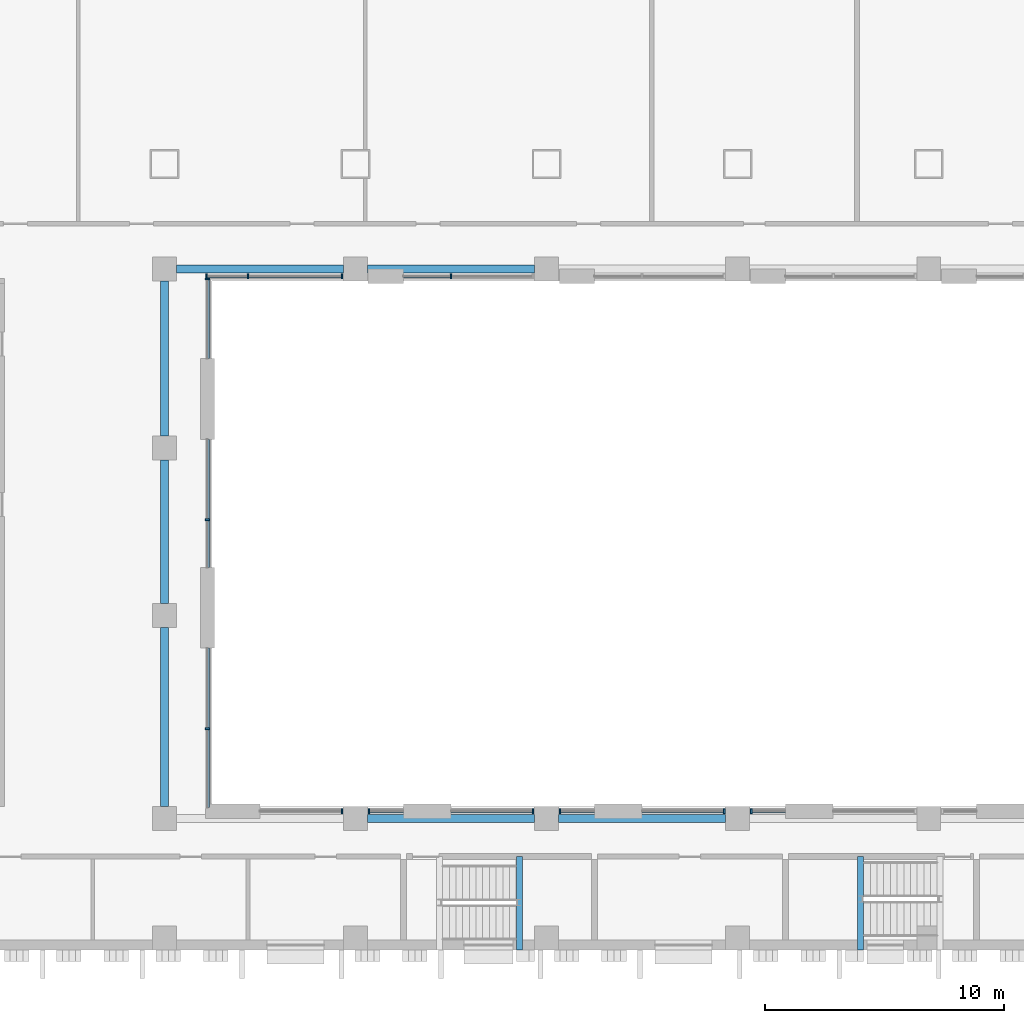
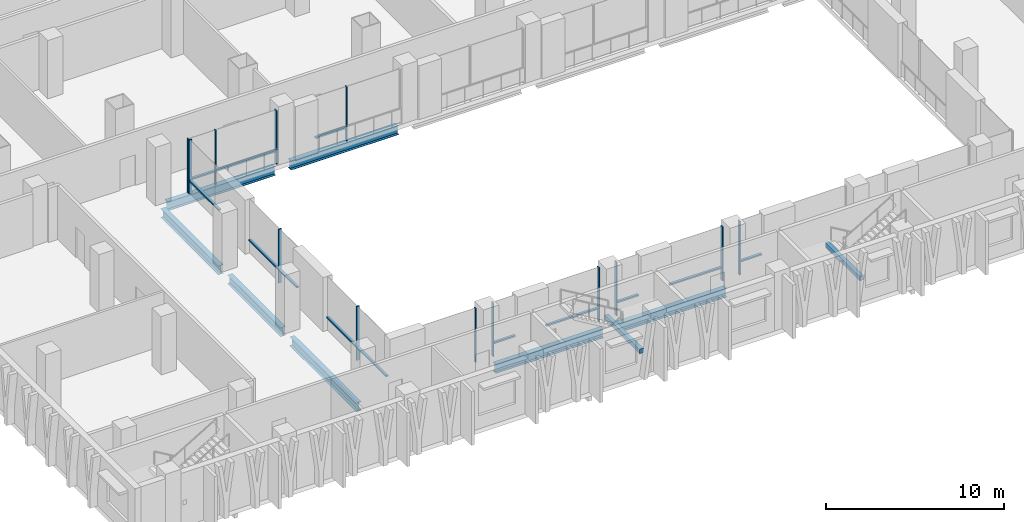
# One storey, part 2 of 25: 26 members, 9 beams, 11 elements without a shape of their own.
"""IFC4 building model written with IfcOpenShell, lengths in metres."""

from ifc_helpers import new_model, si_unit, direction, frame, origin, origin_2d, place, context, subcontext, project, spatial, rectangle, i_section, extrude, material, material_profile, profile_set, type_object, element, aggregate, save


model = new_model("IFC4")

# Units and contexts
model_context = context("Model", 3, precision=1e-05, world=origin(), true_north=direction((0.0, 1.0)))
body_context = subcontext(model_context, "Body", "Model", "MODEL_VIEW")
ifc_project = project(units=[si_unit("LENGTHUNIT", "METRE"), si_unit("AREAUNIT", "SQUARE_METRE"), si_unit("VOLUMEUNIT", "CUBIC_METRE"), si_unit("PLANEANGLEUNIT", "RADIAN"), si_unit("MASSUNIT", "GRAM", prefix="KILO")], contexts=[model_context])

# Site, building, storey
site_placement = place(None, origin())
site = spatial("IfcSite", under=ifc_project, at=site_placement, CompositionType="ELEMENT")
building_placement = place(site_placement, origin())
building = spatial("IfcBuilding", under=site, at=building_placement, Name="Vidyagriha Tower", CompositionType="ELEMENT")
storey_placement = place(building_placement, frame((0.0, 0.0, 14.0)))
storey = spatial("IfcBuildingStorey", under=building, at=storey_placement, Name="L03", CompositionType="ELEMENT", Elevation=14.0)

# Beams
ifc_material_1 = material(Name="Steel ASTM A992 Grade 50", Category="steel")
ifc_material_profile_1 = material_profile(ifc_material_1, i_section(OverallWidth=0.32373046875, OverallDepth=0.612060546875, WebThickness=0.0126953125, FlangeThickness=0.01904296875, at=origin_2d()), Name="W24X104")
ifc_profile_set_1 = profile_set([ifc_material_profile_1], Name="Steel ASTM A992 Grade 50")
beam_type_1 = type_object("IfcBeamType", Name="Atrium edge beam W24X104", PredefinedType="BEAM", material=ifc_profile_set_1)
for number, where, z_axis, x_axis, name in (
    (1, (-13.5, -44.5, -0.60595703125), (1.0, 0.0, 0.0), (0.0, 1.0, 0.0), "st-beam-L03-AT02"),
    (2, (-5.5, -44.5, -0.60595703125), (1.0, 0.0, 0.0), (0.0, 1.0, 0.0), "st-beam-L03-AT03"),
    (3, (-21.5, -21.5, -0.60595703125), (1.0, 0.0, 0.0), (0.0, 1.0, 0.0), "st-beam-L03-AT07"),
    (4, (-13.5, -21.5, -0.60595703125), (1.0, 0.0, 0.0), (0.0, 1.0, 0.0), "st-beam-L03-AT08"),
):
    element("IfcBeam", number, at=place(storey_placement, frame(where, z_axis=z_axis, x_axis=x_axis)), inside=storey, type_object=beam_type_1, Name=name, PredefinedType="BEAM", context=body_context, shape_type="SweptSolid", body=[
        extrude(i_section(OverallWidth=0.32373046875, OverallDepth=0.612060546875, WebThickness=0.0126953125, FlangeThickness=0.01904296875, at=origin_2d()), origin(), (0.0, 0.0, 1.0), 7.0),
    ])
beam_1_placement = place(storey_placement, frame((-22.0, -44.0, -0.60595703125), z_axis=(0.0, 1.0, 0.0), x_axis=(-1.0, 0.0, 0.0)))
element("IfcBeam", 5, at=beam_1_placement, inside=storey, type_object=beam_type_1, Name="st-beam-L03-AT13", PredefinedType="BEAM", context=body_context, shape_type="SweptSolid", body=[
    extrude(i_section(OverallWidth=0.32373046875, OverallDepth=0.612060546875, WebThickness=0.0126953125, FlangeThickness=0.01904296875, at=origin_2d()), origin(), (0.0, 0.0, 1.0), 7.5),
])
beam_2_placement = place(storey_placement, frame((-22.0, -35.5, -0.60595703125), z_axis=(0.0, 1.0, 0.0), x_axis=(-1.0, 0.0, 0.0)))
element("IfcBeam", 6, at=beam_2_placement, inside=storey, type_object=beam_type_1, Name="st-beam-L03-AT14", PredefinedType="BEAM", context=body_context, shape_type="SweptSolid", body=[
    extrude(i_section(OverallWidth=0.32373046875, OverallDepth=0.612060546875, WebThickness=0.0126953125, FlangeThickness=0.01904296875, at=origin_2d()), origin(), (0.0, 0.0, 1.0), 6.0),
])
beam_3_placement = place(storey_placement, frame((-22.0, -28.5, -0.60595703125), z_axis=(0.0, 1.0, 0.0), x_axis=(-1.0, 0.0, 0.0)))
element("IfcBeam", 7, at=beam_3_placement, inside=storey, type_object=beam_type_1, Name="st-beam-L03-AT15", PredefinedType="BEAM", context=body_context, shape_type="SweptSolid", body=[
    extrude(i_section(OverallWidth=0.32373046875, OverallDepth=0.612060546875, WebThickness=0.0126953125, FlangeThickness=0.01904296875, at=origin_2d()), origin(), (0.0, 0.0, 1.0), 6.5),
])

# Curtain wall, member
ifc_material_2 = material(Name="Aluminium and glass curtain wall", Category="aluminium")
curtain_wall_type = type_object("IfcCurtainWallType", Name="Atrium screen curtain wall", PredefinedType="USERDEFINED", material=ifc_material_2)
curtain_wall_1_placement = place(storey_placement, origin())
curtain_wall_1 = element("IfcCurtainWall", 8, at=curtain_wall_1_placement, inside=storey, type_object=curtain_wall_type, Name="CW6 atrium screen", ObjectType="UNITISED", PredefinedType="USERDEFINED")
ifc_material_3 = material(Name="Aluminium black anodised", Category="aluminium")
ifc_material_profile_2 = material_profile(ifc_material_3, rectangle(XDim=0.199951171875, YDim=0.070068359375, at=origin_2d()), Name="Mullion 70x200 black aluminium")
ifc_profile_set_2 = profile_set([ifc_material_profile_2], Name="Aluminium black anodised")
member_type_1 = type_object("IfcMemberType", Name="Mullion 70x200 black aluminium", PredefinedType="MULLION", material=ifc_profile_set_2)
member_1_placement = place(storey_placement, frame((2.56494140625, -44.199951171875, 0.0), z_axis=(0.0, 0.0, 1.0), x_axis=(0.0, -1.0, 0.0)))
member_1 = element("IfcMember", 9, at=member_1_placement, type_object=member_type_1, Name="CW6 mullion 2", PredefinedType="MULLION", context=body_context, shape_type="SweptSolid", body=[
    extrude(rectangle(XDim=0.199951171875, YDim=0.070068359375, at=origin_2d()), origin(), (0.0, 0.0, 1.0), 3.699951171875),
])

curtain_wall_2_placement = place(storey_placement, origin())
curtain_wall_2 = element("IfcCurtainWall", 10, at=curtain_wall_2_placement, inside=storey, type_object=curtain_wall_type, Name="CW6 atrium screen", ObjectType="UNITISED", PredefinedType="USERDEFINED")
member_2_placement = place(storey_placement, frame((1.43505859375, -44.199951171875, 0.0), z_axis=(0.0, 0.0, 1.0), x_axis=(0.0, -1.0, 0.0)))
member_2 = element("IfcMember", 11, at=member_2_placement, type_object=member_type_1, Name="CW6 mullion 1", PredefinedType="MULLION", context=body_context, shape_type="SweptSolid", body=[
    extrude(rectangle(XDim=0.199951171875, YDim=0.070068359375, at=origin_2d()), origin(), (0.0, 0.0, 1.0), 3.699951171875),
])

curtain_wall_3_placement = place(storey_placement, origin())
curtain_wall_3 = element("IfcCurtainWall", 12, at=curtain_wall_3_placement, inside=storey, type_object=curtain_wall_type, Name="CW6 atrium screen", ObjectType="UNITISED", PredefinedType="USERDEFINED")
member_3_placement = place(storey_placement, frame((-5.43505859375, -44.199951171875, 0.0), z_axis=(0.0, 0.0, 1.0), x_axis=(0.0, -1.0, 0.0)))
member_3 = element("IfcMember", 13, at=member_3_placement, type_object=member_type_1, Name="CW6 mullion 2", PredefinedType="MULLION", context=body_context, shape_type="SweptSolid", body=[
    extrude(rectangle(XDim=0.199951171875, YDim=0.070068359375, at=origin_2d()), origin(), (0.0, 0.0, 1.0), 3.699951171875),
])

curtain_wall_4_placement = place(storey_placement, origin())
curtain_wall_4 = element("IfcCurtainWall", 14, at=curtain_wall_4_placement, inside=storey, type_object=curtain_wall_type, Name="CW6 atrium screen", ObjectType="UNITISED", PredefinedType="USERDEFINED")
member_4_placement = place(storey_placement, frame((-6.56494140625, -44.199951171875, 0.0), z_axis=(0.0, 0.0, 1.0), x_axis=(0.0, -1.0, 0.0)))
member_4 = element("IfcMember", 15, at=member_4_placement, type_object=member_type_1, Name="CW6 mullion 1", PredefinedType="MULLION", context=body_context, shape_type="SweptSolid", body=[
    extrude(rectangle(XDim=0.199951171875, YDim=0.070068359375, at=origin_2d()), origin(), (0.0, 0.0, 1.0), 3.699951171875),
])

curtain_wall_5_placement = place(storey_placement, origin())
curtain_wall_5 = element("IfcCurtainWall", 16, at=curtain_wall_5_placement, inside=storey, type_object=curtain_wall_type, Name="CW6 atrium screen", ObjectType="UNITISED", PredefinedType="USERDEFINED")
member_5_placement = place(storey_placement, frame((-13.43505859375, -44.199951171875, 0.0), z_axis=(0.0, 0.0, 1.0), x_axis=(0.0, -1.0, 0.0)))
member_5 = element("IfcMember", 17, at=member_5_placement, type_object=member_type_1, Name="CW6 mullion 2", PredefinedType="MULLION", context=body_context, shape_type="SweptSolid", body=[
    extrude(rectangle(XDim=0.199951171875, YDim=0.070068359375, at=origin_2d()), origin(), (0.0, 0.0, 1.0), 3.699951171875),
])

curtain_wall_6_placement = place(storey_placement, origin())
curtain_wall_6 = element("IfcCurtainWall", 18, at=curtain_wall_6_placement, inside=storey, type_object=curtain_wall_type, Name="CW6 atrium screen", ObjectType="UNITISED", PredefinedType="USERDEFINED")
member_6_placement = place(storey_placement, frame((-14.56494140625, -44.199951171875, 0.0), z_axis=(0.0, 0.0, 1.0), x_axis=(0.0, -1.0, 0.0)))
member_6 = element("IfcMember", 19, at=member_6_placement, type_object=member_type_1, Name="CW6 mullion 1", PredefinedType="MULLION", context=body_context, shape_type="SweptSolid", body=[
    extrude(rectangle(XDim=0.199951171875, YDim=0.070068359375, at=origin_2d()), origin(), (0.0, 0.0, 1.0), 3.699951171875),
])
aggregate(curtain_wall_6, [member_6])

curtain_wall_7_placement = place(storey_placement, origin())
curtain_wall_7 = element("IfcCurtainWall", 20, at=curtain_wall_7_placement, inside=storey, type_object=curtain_wall_type, Name="CW6 atrium screen", ObjectType="UNITISED", PredefinedType="USERDEFINED")
member_7_placement = place(storey_placement, frame((-20.199951171875, -40.74658203125, 0.0), z_axis=(0.0, 0.0, 1.0), x_axis=(-1.0, 0.0, 0.0)))
member_7 = element("IfcMember", 21, at=member_7_placement, type_object=member_type_1, Name="CW6 mullion 2", PredefinedType="MULLION", context=body_context, shape_type="SweptSolid", body=[
    extrude(rectangle(XDim=0.199951171875, YDim=0.070068359375, at=origin_2d()), origin(), (0.0, 0.0, 1.0), 3.699951171875),
])

curtain_wall_8_placement = place(storey_placement, origin())
curtain_wall_8 = element("IfcCurtainWall", 22, at=curtain_wall_8_placement, inside=storey, type_object=curtain_wall_type, Name="CW6 atrium screen", ObjectType="UNITISED", PredefinedType="USERDEFINED")
member_8_placement = place(storey_placement, frame((-20.199951171875, -32.0, 0.0), z_axis=(0.0, 0.0, 1.0), x_axis=(-1.0, 0.0, 0.0)))
member_8 = element("IfcMember", 23, at=member_8_placement, type_object=member_type_1, Name="CW6 mullion 2", PredefinedType="MULLION", context=body_context, shape_type="SweptSolid", body=[
    extrude(rectangle(XDim=0.199951171875, YDim=0.070068359375, at=origin_2d()), origin(), (0.0, 0.0, 1.0), 3.699951171875),
])

curtain_wall_9_placement = place(storey_placement, origin())
curtain_wall_9 = element("IfcCurtainWall", 24, at=curtain_wall_9_placement, inside=storey, type_object=curtain_wall_type, Name="CW6 atrium screen", ObjectType="UNITISED", PredefinedType="USERDEFINED")
member_9_placement = place(storey_placement, frame((-20.199951171875, -21.9150390625, 0.0), z_axis=(0.0, 0.0, 1.0), x_axis=(-1.0, 0.0, 0.0)))
member_9 = element("IfcMember", 25, at=member_9_placement, type_object=member_type_1, Name="CW6 mullion 2", PredefinedType="MULLION", context=body_context, shape_type="SweptSolid", body=[
    extrude(rectangle(XDim=0.199951171875, YDim=0.070068359375, at=origin_2d()), origin(), (0.0, 0.0, 1.0), 3.699951171875),
])

# Curtain wall, members
curtain_wall_10_placement = place(storey_placement, origin())
curtain_wall_10 = element("IfcCurtainWall", 26, at=curtain_wall_10_placement, inside=storey, type_object=curtain_wall_type, Name="CW6 atrium screen", ObjectType="UNITISED", PredefinedType="USERDEFINED")
member_10_placement = place(storey_placement, frame((-20.2451171875, -21.800048828125, 0.0), z_axis=(0.0, 0.0, 1.0), x_axis=(0.0, 1.0, 0.0)))
member_10 = element("IfcMember", 27, at=member_10_placement, type_object=member_type_1, Name="CW6 mullion 1", PredefinedType="MULLION", context=body_context, shape_type="SweptSolid", body=[
    extrude(rectangle(XDim=0.199951171875, YDim=0.070068359375, at=origin_2d()), origin(), (0.0, 0.0, 1.0), 3.699951171875),
])
member_11_placement = place(storey_placement, frame((-18.5, -21.800048828125, 0.0), z_axis=(0.0, 0.0, 1.0), x_axis=(0.0, 1.0, 0.0)))
member_11 = element("IfcMember", 28, at=member_11_placement, type_object=member_type_1, Name="CW6 mullion 2", PredefinedType="MULLION", context=body_context, shape_type="SweptSolid", body=[
    extrude(rectangle(XDim=0.199951171875, YDim=0.070068359375, at=origin_2d()), origin(), (0.0, 0.0, 1.0), 3.699951171875),
])
member_12_placement = place(storey_placement, frame((-14.56494140625, -21.800048828125, 0.0), z_axis=(0.0, 0.0, 1.0), x_axis=(0.0, 1.0, 0.0)))
member_12 = element("IfcMember", 29, at=member_12_placement, type_object=member_type_1, Name="CW6 mullion 3", PredefinedType="MULLION", context=body_context, shape_type="SweptSolid", body=[
    extrude(rectangle(XDim=0.199951171875, YDim=0.070068359375, at=origin_2d()), origin(), (0.0, 0.0, 1.0), 3.699951171875),
])

# Curtain wall, member
curtain_wall_11_placement = place(storey_placement, origin())
curtain_wall_11 = element("IfcCurtainWall", 30, at=curtain_wall_11_placement, inside=storey, type_object=curtain_wall_type, Name="CW6 atrium screen", ObjectType="UNITISED", PredefinedType="USERDEFINED")
member_13_placement = place(storey_placement, frame((-10.0, -21.800048828125, 0.0), z_axis=(0.0, 0.0, 1.0), x_axis=(0.0, 1.0, 0.0)))
member_13 = element("IfcMember", 31, at=member_13_placement, type_object=member_type_1, Name="CW6 mullion 2", PredefinedType="MULLION", context=body_context, shape_type="SweptSolid", body=[
    extrude(rectangle(XDim=0.199951171875, YDim=0.070068359375, at=origin_2d()), origin(), (0.0, 0.0, 1.0), 3.699951171875),
])

# Beams
ifc_material_4 = material(Name="Concrete C40/50", Category="concrete")
ifc_material_profile_3 = material_profile(ifc_material_4, rectangle(XDim=0.25, YDim=0.300048828125, at=origin_2d()), Name="Stair landing bearing beam 250x300")
ifc_profile_set_3 = profile_set([ifc_material_profile_3], Name="Concrete C40/50")
beam_type_2 = type_object("IfcBeamType", Name="Stair landing bearing beam 250x300", PredefinedType="BEAM", material=ifc_profile_set_3)
for number, where, z_axis, x_axis, name in (
    (32, (-7.139892578125, -50.0, 1.64990234375), (0.0, 1.0, 0.0), (-1.0, 0.0, 0.0), "PS3 landing bearing beam L03"),
    (33, (7.139892578125, -50.0, 1.64990234375), (0.0, 1.0, 0.0), (-1.0, 0.0, 0.0), "PS4 landing bearing beam L03"),
):
    element("IfcBeam", number, at=place(storey_placement, frame(where, z_axis=z_axis, x_axis=x_axis)), inside=storey, type_object=beam_type_2, Name=name, PredefinedType="BEAM", context=body_context, shape_type="SweptSolid", body=[
        extrude(rectangle(XDim=0.25, YDim=0.300048828125, at=origin_2d()), origin(), (0.0, 0.0, 1.0), 3.89990234375),
    ])

# Member
ifc_material_5 = material(Name="Aluminium black anodised", Category="aluminium")
ifc_material_profile_4 = material_profile(ifc_material_5, rectangle(XDim=0.159912109375, YDim=0.10009765625, at=origin_2d()), Name="Transom 100x160 black aluminium")
ifc_profile_set_4 = profile_set([ifc_material_profile_4], Name="Aluminium black anodised")
member_type_2 = type_object("IfcMemberType", Name="Transom 100x160 black aluminium", PredefinedType="USERDEFINED", material=ifc_profile_set_4)
member_14_placement = place(storey_placement, frame((4.0, -44.199951171875, 0.89990234375), z_axis=(-1.0, 0.0, 0.0), x_axis=(0.0, -1.0, 0.0)))
member_14 = element("IfcMember", 34, at=member_14_placement, type_object=member_type_2, Name="CW6 transom 1.1", ObjectType="TRANSOM", PredefinedType="USERDEFINED", context=body_context, shape_type="SweptSolid", body=[
    extrude(rectangle(XDim=0.159912109375, YDim=0.10009765625, at=origin_2d()), origin(), (0.0, 0.0, 1.0), 1.39990234375),
])

aggregate(curtain_wall_1, [member_1, member_14])

member_15_placement = place(storey_placement, frame((1.39990234375, -44.199951171875, 0.89990234375), z_axis=(-1.0, 0.0, 0.0), x_axis=(0.0, -1.0, 0.0)))
member_15 = element("IfcMember", 35, at=member_15_placement, type_object=member_type_2, Name="CW6 transom 1.1", ObjectType="TRANSOM", PredefinedType="USERDEFINED", context=body_context, shape_type="SweptSolid", body=[
    extrude(rectangle(XDim=0.159912109375, YDim=0.10009765625, at=origin_2d()), origin(), (0.0, 0.0, 1.0), 3.39990234375),
])

aggregate(curtain_wall_2, [member_2, member_15])

member_16_placement = place(storey_placement, frame((-4.0, -44.199951171875, 0.89990234375), z_axis=(-1.0, 0.0, 0.0), x_axis=(0.0, -1.0, 0.0)))
member_16 = element("IfcMember", 36, at=member_16_placement, type_object=member_type_2, Name="CW6 transom 1.1", ObjectType="TRANSOM", PredefinedType="USERDEFINED", context=body_context, shape_type="SweptSolid", body=[
    extrude(rectangle(XDim=0.159912109375, YDim=0.10009765625, at=origin_2d()), origin(), (0.0, 0.0, 1.0), 1.39990234375),
])

aggregate(curtain_wall_3, [member_3, member_16])

member_17_placement = place(storey_placement, frame((-6.60009765625, -44.199951171875, 0.89990234375), z_axis=(-1.0, 0.0, 0.0), x_axis=(0.0, -1.0, 0.0)))
member_17 = element("IfcMember", 37, at=member_17_placement, type_object=member_type_2, Name="CW6 transom 1.1", ObjectType="TRANSOM", PredefinedType="USERDEFINED", context=body_context, shape_type="SweptSolid", body=[
    extrude(rectangle(XDim=0.159912109375, YDim=0.10009765625, at=origin_2d()), origin(), (0.0, 0.0, 1.0), 3.39990234375),
])

aggregate(curtain_wall_4, [member_4, member_17])

member_18_placement = place(storey_placement, frame((-12.0, -44.199951171875, 0.89990234375), z_axis=(-1.0, 0.0, 0.0), x_axis=(0.0, -1.0, 0.0)))
member_18 = element("IfcMember", 38, at=member_18_placement, type_object=member_type_2, Name="CW6 transom 1.1", ObjectType="TRANSOM", PredefinedType="USERDEFINED", context=body_context, shape_type="SweptSolid", body=[
    extrude(rectangle(XDim=0.159912109375, YDim=0.10009765625, at=origin_2d()), origin(), (0.0, 0.0, 1.0), 1.39990234375),
])

aggregate(curtain_wall_5, [member_5, member_18])

member_19_placement = place(storey_placement, frame((-20.199951171875, -44.050048828125, 0.89990234375), z_axis=(0.0, 1.0, 0.0), x_axis=(-1.0, 0.0, 0.0)))
member_19 = element("IfcMember", 39, at=member_19_placement, type_object=member_type_2, Name="CW6 transom 1.1", ObjectType="TRANSOM", PredefinedType="USERDEFINED", context=body_context, shape_type="SweptSolid", body=[
    extrude(rectangle(XDim=0.159912109375, YDim=0.10009765625, at=origin_2d()), origin(), (0.0, 0.0, 1.0), 3.268310546875),
])

member_20_placement = place(storey_placement, frame((-20.199951171875, -40.711669921875, 0.89990234375), z_axis=(0.0, 1.0, 0.0), x_axis=(-1.0, 0.0, 0.0)))
member_20 = element("IfcMember", 40, at=member_20_placement, type_object=member_type_2, Name="CW6 transom 2.1", ObjectType="TRANSOM", PredefinedType="USERDEFINED", context=body_context, shape_type="SweptSolid", body=[
    extrude(rectangle(XDim=0.159912109375, YDim=0.10009765625, at=origin_2d()), origin(), (0.0, 0.0, 1.0), 3.33837890625),
])

aggregate(curtain_wall_7, [member_7, member_19, member_20])

member_21_placement = place(storey_placement, frame((-20.199951171875, -34.0, 0.89990234375), z_axis=(0.0, 1.0, 0.0), x_axis=(-1.0, 0.0, 0.0)))
member_21 = element("IfcMember", 41, at=member_21_placement, type_object=member_type_2, Name="CW6 transom 1.1", ObjectType="TRANSOM", PredefinedType="USERDEFINED", context=body_context, shape_type="SweptSolid", body=[
    extrude(rectangle(XDim=0.159912109375, YDim=0.10009765625, at=origin_2d()), origin(), (0.0, 0.0, 1.0), 1.965087890625),
])

member_22_placement = place(storey_placement, frame((-20.199951171875, -31.965087890625, 0.89990234375), z_axis=(0.0, 1.0, 0.0), x_axis=(-1.0, 0.0, 0.0)))
member_22 = element("IfcMember", 42, at=member_22_placement, type_object=member_type_2, Name="CW6 transom 2.1", ObjectType="TRANSOM", PredefinedType="USERDEFINED", context=body_context, shape_type="SweptSolid", body=[
    extrude(rectangle(XDim=0.159912109375, YDim=0.10009765625, at=origin_2d()), origin(), (0.0, 0.0, 1.0), 3.33837890625),
])

aggregate(curtain_wall_8, [member_8, member_21, member_22])

member_23_placement = place(storey_placement, frame((-20.199951171875, -25.25341796875, 0.89990234375), z_axis=(0.0, 1.0, 0.0), x_axis=(-1.0, 0.0, 0.0)))
member_23 = element("IfcMember", 43, at=member_23_placement, type_object=member_type_2, Name="CW6 transom 1.1", ObjectType="TRANSOM", PredefinedType="USERDEFINED", context=body_context, shape_type="SweptSolid", body=[
    extrude(rectangle(XDim=0.159912109375, YDim=0.10009765625, at=origin_2d()), origin(), (0.0, 0.0, 1.0), 3.303466796875),
])

aggregate(curtain_wall_9, [member_9, member_23])

member_24_placement = place(storey_placement, frame((-20.2099609375, -21.800048828125, 0.89990234375), z_axis=(1.0, 0.0, 0.0), x_axis=(0.0, 1.0, 0.0)))
member_24 = element("IfcMember", 44, at=member_24_placement, type_object=member_type_2, Name="CW6 transom 1.1", ObjectType="TRANSOM", PredefinedType="USERDEFINED", context=body_context, shape_type="SweptSolid", body=[
    extrude(rectangle(XDim=0.159912109375, YDim=0.10009765625, at=origin_2d()), origin(), (0.0, 0.0, 1.0), 1.675048828125),
])

member_25_placement = place(storey_placement, frame((-18.465087890625, -21.800048828125, 0.89990234375), z_axis=(1.0, 0.0, 0.0), x_axis=(0.0, 1.0, 0.0)))
member_25 = element("IfcMember", 45, at=member_25_placement, type_object=member_type_2, Name="CW6 transom 2.1", ObjectType="TRANSOM", PredefinedType="USERDEFINED", context=body_context, shape_type="SweptSolid", body=[
    extrude(rectangle(XDim=0.159912109375, YDim=0.10009765625, at=origin_2d()), origin(), (0.0, 0.0, 1.0), 3.864990234375),
])

aggregate(curtain_wall_10, [member_10, member_11, member_12, member_24, member_25])

member_26_placement = place(storey_placement, frame((-12.0, -21.800048828125, 0.89990234375), z_axis=(1.0, 0.0, 0.0), x_axis=(0.0, 1.0, 0.0)))
member_26 = element("IfcMember", 46, at=member_26_placement, type_object=member_type_2, Name="CW6 transom 1.1", ObjectType="TRANSOM", PredefinedType="USERDEFINED", context=body_context, shape_type="SweptSolid", body=[
    extrude(rectangle(XDim=0.159912109375, YDim=0.10009765625, at=origin_2d()), origin(), (0.0, 0.0, 1.0), 1.965087890625),
])

aggregate(curtain_wall_11, [member_13, member_26])

save(model, "model.ifc")
